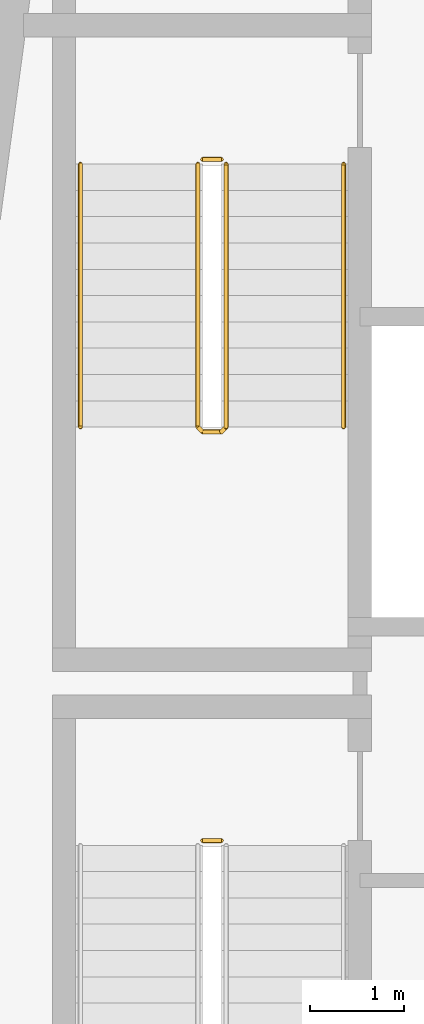
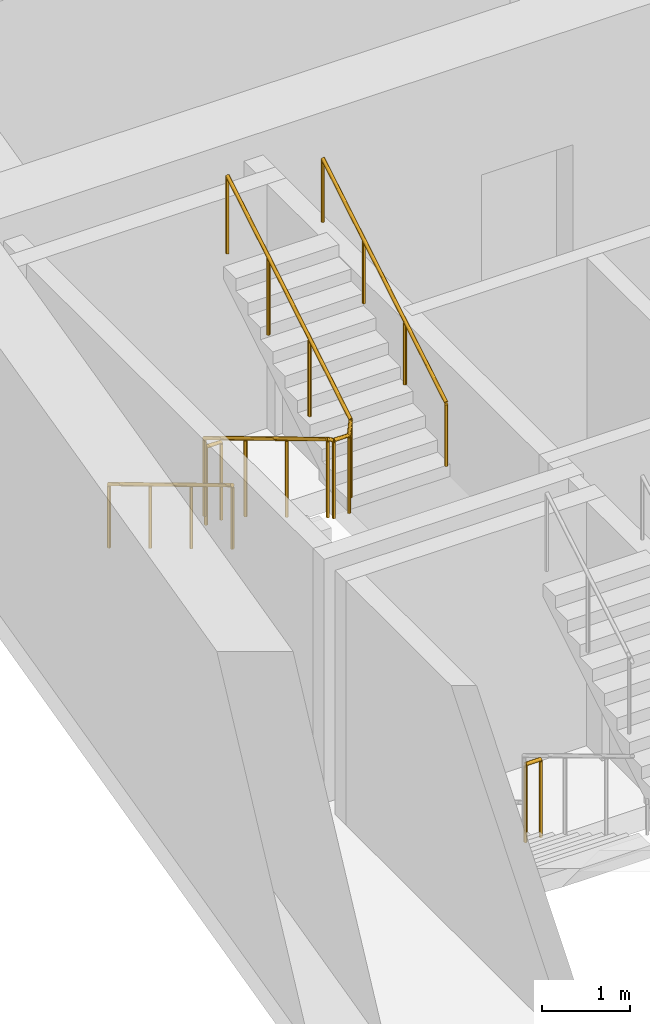
# One storey, part 9 of 12: 5 railings.
"""IFC4 building model written with IfcOpenShell, lengths in metres."""

from ifc_helpers import new_model, si_unit, direction, frame, origin, origin_2d, place, context, subcontext, project, spatial, circle, extrude, material, type_object, element, save


model = new_model("IFC4")

# Units and contexts
model_context = context("Model", 3, precision=1e-05, world=origin(), true_north=direction((0.0, 1.0)))
body_context = subcontext(model_context, "Body", "Model", "MODEL_VIEW")
ifc_project = project(units=[si_unit("LENGTHUNIT", "METRE"), si_unit("AREAUNIT", "SQUARE_METRE"), si_unit("VOLUMEUNIT", "CUBIC_METRE"), si_unit("PLANEANGLEUNIT", "RADIAN"), si_unit("MASSUNIT", "GRAM", prefix="KILO")], contexts=[model_context])

# Site, building, storey
site_placement = place(None, origin())
site = spatial("IfcSite", under=ifc_project, at=site_placement, CompositionType="ELEMENT")
building_placement = place(site_placement, origin())
building = spatial("IfcBuilding", under=site, at=building_placement, Name="Candeia Pilgrim Tower and Theatre", CompositionType="ELEMENT")
storey_placement = place(building_placement, frame((0.0, 0.0, 235.5)))
storey = spatial("IfcBuildingStorey", under=building, at=storey_placement, Name="L57", CompositionType="ELEMENT", Elevation=235.5)

# Railings
ifc_material_1 = material(Name="Stainless steel balustrade", Category="steel")
railing_type_1 = type_object("IfcRailingType", Name="RL-GUARD-1100", PredefinedType="GUARDRAIL", material=ifc_material_1)
railing_1_placement = place(storey_placement, frame((91.152099609375, 122.52490234375, 0.0)))
element("IfcRailing", 1, at=railing_1_placement, inside=storey, type_object=railing_type_1, Name="L57 ST1 stair guard 2", PredefinedType="GUARDRAIL", context=body_context, shape_type="SweptSolid", body=[
    extrude(circle(Radius=0.02392578125, at=origin_2d()), frame((0.0, 0.0, 1.076171875), z_axis=(1.0, 0.0, 0.0), x_axis=(0.0, 1.0, 0.0)), (0.0, 0.0, 1.0), 0.199951171875),
    extrude(circle(Radius=0.02099609375, at=origin_2d()), origin(), (0.0, 0.0, 1.0), 1.052001953125),
    extrude(circle(Radius=0.02099609375, at=origin_2d()), frame((0.199951171875, 0.0, 0.0)), (0.0, 0.0, 1.0), 1.052001953125),
])
railing_2_placement = place(storey_placement, frame((91.10205078125, 129.72509765625, 0.168212890625)))
element("IfcRailing", 2, at=railing_2_placement, inside=storey, type_object=railing_type_1, Name="L57 ST2 stair guard 1", PredefinedType="GUARDRAIL", context=body_context, shape_type="SweptSolid", body=[
    extrude(circle(Radius=0.02392578125, at=origin_2d()), frame((0.0, 0.0, 1.076171875), z_axis=(0.0, -0.857242210791, 0.514913383045), x_axis=(1.0, 0.0, 0.0)), (0.0, 0.0, 1.0), 3.266357421875),
    extrude(circle(Radius=0.02392578125, at=origin_2d()), frame((0.0, -2.800048828125, 2.7578125), z_axis=(0.707106781187, -0.707106781187, 0.0), x_axis=(0.707106781187, 0.707106781187, 0.0)), (0.0, 0.0, 1.0), 0.07080078125),
    extrude(circle(Radius=0.02392578125, at=origin_2d()), frame((0.050048828125, -2.85009765625, 2.7578125), z_axis=(1.0, 0.0, 0.0), x_axis=(0.0, 1.0, 0.0)), (0.0, 0.0, 1.0), 0.199951171875),
    extrude(circle(Radius=0.02392578125, at=origin_2d()), frame((0.25, -2.85009765625, 2.7578125), z_axis=(0.274582412415, 0.274582412415, 0.921525364591), x_axis=(-0.707106781187, 0.707106781187, 0.0)), (0.0, 0.0, 1.0), 0.182373046875),
    extrude(circle(Radius=0.02392578125, at=origin_2d()), frame((0.300048828125, -2.800048828125, 2.92578125), z_axis=(0.0, 0.857242210791, 0.514913383045), x_axis=(-1.0, 0.0, 0.0)), (0.0, 0.0, 1.0), 3.266357421875),
    extrude(circle(Radius=0.02099609375, at=origin_2d()), origin(), (0.0, 0.0, 1.0), 1.052001953125),
    extrude(circle(Radius=0.02099609375, at=origin_2d()), frame((0.0, -0.933349609375, 0.560546875)), (0.0, 0.0, 1.0), 1.052001953125),
    extrude(circle(Radius=0.02099609375, at=origin_2d()), frame((0.0, -1.86669921875, 1.121337890625)), (0.0, 0.0, 1.0), 1.052001953125),
    extrude(circle(Radius=0.02099609375, at=origin_2d()), frame((0.0, -2.800048828125, 1.681884765625)), (0.0, 0.0, 1.0), 1.052001953125),
    extrude(circle(Radius=0.02099609375, at=origin_2d()), frame((0.050048828125, -2.85009765625, 1.681884765625)), (0.0, 0.0, 1.0), 1.052001953125),
    extrude(circle(Radius=0.02099609375, at=origin_2d()), frame((0.25, -2.85009765625, 1.681884765625)), (0.0, 0.0, 1.0), 1.052001953125),
    extrude(circle(Radius=0.02099609375, at=origin_2d()), frame((0.300048828125, -2.800048828125, 1.849853515625)), (0.0, 0.0, 1.0), 1.052001953125),
    extrude(circle(Radius=0.02099609375, at=origin_2d()), frame((0.300048828125, -1.86669921875, 2.410400390625)), (0.0, 0.0, 1.0), 1.052001953125),
    extrude(circle(Radius=0.02099609375, at=origin_2d()), frame((0.300048828125, -0.933349609375, 2.97119140625)), (0.0, 0.0, 1.0), 1.052001953125),
    extrude(circle(Radius=0.02099609375, at=origin_2d()), frame((0.300048828125, 0.0, 3.53173828125)), (0.0, 0.0, 1.0), 1.052001953125),
])
railing_3_placement = place(storey_placement, frame((91.152099609375, 129.77490234375, 0.0)))
element("IfcRailing", 3, at=railing_3_placement, inside=storey, type_object=railing_type_1, Name="L57 ST2 stair guard 2", PredefinedType="GUARDRAIL", context=body_context, shape_type="SweptSolid", body=[
    extrude(circle(Radius=0.02392578125, at=origin_2d()), frame((0.0, 0.0, 1.076171875), z_axis=(1.0, 0.0, 0.0), x_axis=(0.0, 1.0, 0.0)), (0.0, 0.0, 1.0), 0.199951171875),
    extrude(circle(Radius=0.02099609375, at=origin_2d()), origin(), (0.0, 0.0, 1.0), 1.052001953125),
    extrude(circle(Radius=0.02099609375, at=origin_2d()), frame((0.199951171875, 0.0, 0.0)), (0.0, 0.0, 1.0), 1.052001953125),
])
ifc_material_2 = material(Name="Stainless steel handrail", Category="steel")
railing_type_2 = type_object("IfcRailingType", Name="RL-HANDRAIL-900", PredefinedType="HANDRAIL", material=ifc_material_2)
railing_4_placement = place(storey_placement, frame((89.85205078125, 129.72509765625, 0.168212890625)))
element("IfcRailing", 4, at=railing_4_placement, inside=storey, type_object=railing_type_2, Name="L57 ST2 stair handrail 1", PredefinedType="HANDRAIL", context=body_context, shape_type="SweptSolid", body=[
    extrude(circle(Radius=0.02392578125, at=origin_2d()), frame((0.0, 0.0, 0.8759765625), z_axis=(0.0, -0.857242210791, 0.514913383045), x_axis=(1.0, 0.0, 0.0)), (0.0, 0.0, 1.0), 3.266357421875),
    extrude(circle(Radius=0.02099609375, at=origin_2d()), origin(), (0.0, 0.0, 1.0), 0.851806640625),
    extrude(circle(Radius=0.02099609375, at=origin_2d()), frame((0.0, -0.933349609375, 0.560546875)), (0.0, 0.0, 1.0), 0.851806640625),
    extrude(circle(Radius=0.02099609375, at=origin_2d()), frame((0.0, -1.86669921875, 1.121337890625)), (0.0, 0.0, 1.0), 0.851806640625),
    extrude(circle(Radius=0.02099609375, at=origin_2d()), frame((0.0, -2.800048828125, 1.681884765625)), (0.0, 0.0, 1.0), 0.851806640625),
])
railing_5_placement = place(storey_placement, frame((92.652099609375, 126.925048828125, 2.01806640625)))
element("IfcRailing", 5, at=railing_5_placement, inside=storey, type_object=railing_type_2, Name="L57 ST2 stair handrail 2", PredefinedType="HANDRAIL", context=body_context, shape_type="SweptSolid", body=[
    extrude(circle(Radius=0.02392578125, at=origin_2d()), frame((0.0, 0.0, 0.8759765625), z_axis=(0.0, 0.857242210791, 0.514913383045), x_axis=(-1.0, 0.0, 0.0)), (0.0, 0.0, 1.0), 3.266357421875),
    extrude(circle(Radius=0.02099609375, at=origin_2d()), origin(), (0.0, 0.0, 1.0), 0.851806640625),
    extrude(circle(Radius=0.02099609375, at=origin_2d()), frame((0.0, 0.933349609375, 0.560546875)), (0.0, 0.0, 1.0), 0.851806640625),
    extrude(circle(Radius=0.02099609375, at=origin_2d()), frame((0.0, 1.86669921875, 1.121337890625)), (0.0, 0.0, 1.0), 0.851806640625),
    extrude(circle(Radius=0.02099609375, at=origin_2d()), frame((0.0, 2.800048828125, 1.681884765625)), (0.0, 0.0, 1.0), 0.851806640625),
])

save(model, "model.ifc")
